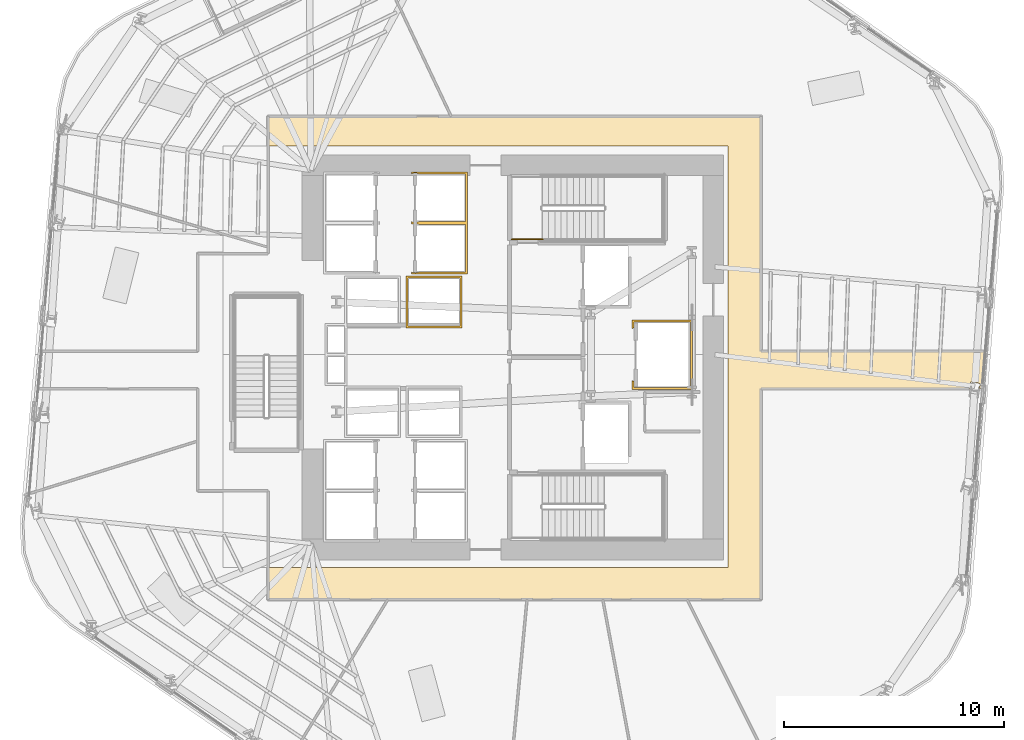
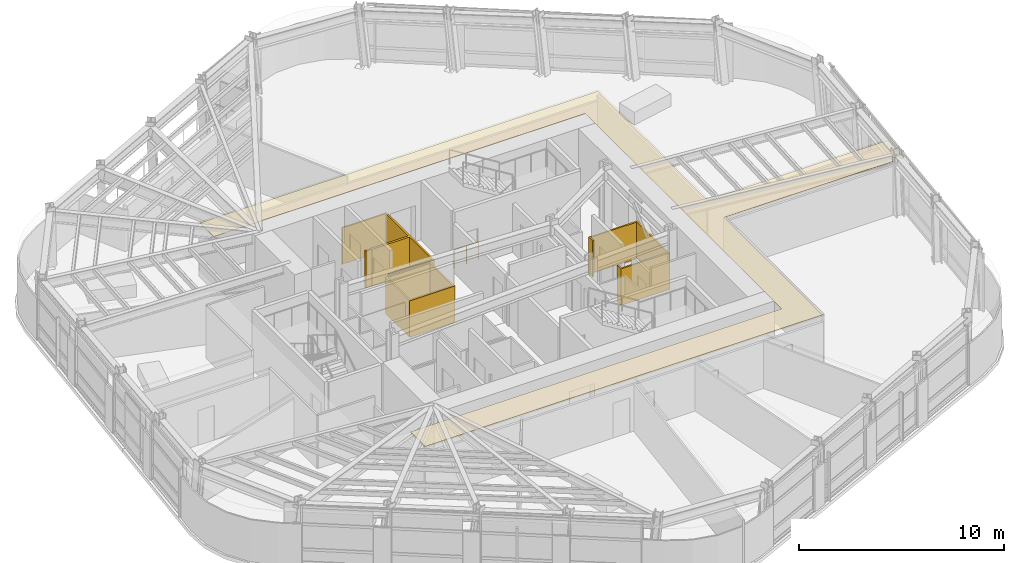
# One storey, part 14 of 19: 4 coverings, 1 railing.
"""IFC4 building model written with IfcOpenShell, lengths in metres."""

import ifcopenshell
import ifcopenshell.guid

model = None  # the IFC model being written
_history = None  # IfcOwnerHistory: only IFC2X3 demands one
_inside = {}  # id of a spatial element -> (the spatial element, [elements in it])
_under = {}  # id of a project, library or spatial element -> (it, [spatial elements below it])
_declared = {}  # id of a project -> (the project, [libraries it declares])
_typed = {}  # id of a type object -> (the type object, [elements of that type])
_made_of = {}  # id of a material, layer set ... -> (it, [elements and type objects made of it])


def new_model(schema):
    """Start an empty IFC model of exactly this schema.

    Asked for "IFC4X3", IfcOpenShell would pick the latest addendum, in which some entities
    have other attributes; the version numbers below select the first issue.
    IFC2X3 requires an IfcOwnerHistory on every rooted entity: one is made here for all.
    """
    global model, _history
    if schema == "IFC4X3":
        model = ifcopenshell.file(schema_version=(4, 3, 0, 0))
    else:
        model = ifcopenshell.file(schema=schema)
    _inside.clear()
    _under.clear()
    _declared.clear()
    _typed.clear()
    _made_of.clear()
    _history = None
    if model.schema == "IFC2X3":
        org = make("IfcOrganization", Name="unknown")
        user = make(
            "IfcPersonAndOrganization",
            ThePerson=make("IfcPerson", FamilyName="unknown"),
            TheOrganization=org,
        )
        app = make(
            "IfcApplication",
            ApplicationDeveloper=org,
            Version="unknown",
            ApplicationFullName="unknown",
            ApplicationIdentifier="unknown",
        )
        _history = make(
            "IfcOwnerHistory",
            OwningUser=user,
            OwningApplication=app,
            ChangeAction="ADDED",
            CreationDate=0,
        )
    return model


def make(cls, **values):
    """One entity of the class cls with the attributes given. An attribute that is None is left unset."""
    return model.create_entity(
        cls, **{name: value for name, value in values.items() if value is not None}
    )


def rooted(cls, **values):
    """An entity with a GlobalId (a new one), such as an element, a storey or a relation."""
    return make(cls, GlobalId=ifcopenshell.guid.new(), OwnerHistory=_history, **values)


def si_unit(unit_type, name, prefix=None):
    """IfcSIUnit, for example si_unit("LENGTHUNIT", "METRE", prefix="MILLI")."""
    return make("IfcSIUnit", UnitType=unit_type, Prefix=prefix, Name=name)


def assignment(units):
    """IfcUnitAssignment: the units of a project."""
    return None if units is None else make("IfcUnitAssignment", Units=units)


def point(xyz):
    """IfcCartesianPoint."""
    return None if xyz is None else make("IfcCartesianPoint", Coordinates=xyz)


def direction(xyz):
    """IfcDirection."""
    return None if xyz is None else make("IfcDirection", DirectionRatios=xyz)


def frame(location, z_axis=None, x_axis=None):
    """IfcAxis2Placement3D, a coordinate frame: its origin and axes. An axis left out is left unset."""
    return make(
        "IfcAxis2Placement3D",
        Location=point(location),
        Axis=direction(z_axis),
        RefDirection=direction(x_axis),
    )


def frame_2d(location, x_axis=None):
    """IfcAxis2Placement2D, a coordinate frame in the plane: its origin and x axis."""
    return make(
        "IfcAxis2Placement2D", Location=point(location), RefDirection=direction(x_axis)
    )


def origin():
    """The frame at (0, 0, 0) with its axes left unset."""
    return frame((0.0, 0.0, 0.0))


def origin_2d():
    """The frame at (0, 0) in the plane with its x axis left unset."""
    return frame_2d((0.0, 0.0))


def place(relative_to, where):
    """IfcLocalPlacement: puts the frame where relative to a parent placement (None: the world)."""
    return make(
        "IfcLocalPlacement", PlacementRelTo=relative_to, RelativePlacement=where
    )


def context(
    kind, dimensions, precision=None, world=None, true_north=None, identifier=None
):
    """IfcGeometricRepresentationContext, for example the 3D "Model" context."""
    return make(
        "IfcGeometricRepresentationContext",
        ContextIdentifier=identifier,
        ContextType=kind,
        CoordinateSpaceDimension=dimensions,
        Precision=precision,
        WorldCoordinateSystem=world,
        TrueNorth=true_north,
    )


def subcontext(parent, identifier, kind, view, scale=None):
    """IfcGeometricRepresentationSubContext, for example "Body" below "Model"."""
    return make(
        "IfcGeometricRepresentationSubContext",
        ContextIdentifier=identifier,
        ContextType=kind,
        ParentContext=parent,
        TargetScale=scale,
        TargetView=view,
    )


def project(units=None, contexts=None):
    """IfcProject with its units and contexts."""
    return rooted(
        "IfcProject",
        Name="project",
        RepresentationContexts=contexts,
        UnitsInContext=assignment(units),
    )


def spatial(cls, under=None, at=None, **own):
    """A site, building, storey or space (cls), placed at a placement, below another one or the project."""
    s = rooted(cls, ObjectPlacement=at, **own)
    if under is not None:
        _under.setdefault(under.id(), (under, []))[1].append(s)
    return s


def polyline(points):
    """IfcPolyline through the points."""
    return make("IfcPolyline", Points=[point(p) for p in points])


def profile(cls, at=None, kind="AREA", **sizes):
    """A parametric profile (cls). Its sizes go by their IFC names, for example OverallWidth=200.0."""
    return make(cls, ProfileType=kind, Position=at, **sizes)


def circle(**sizes):
    """IfcCircleProfileDef."""
    return profile("IfcCircleProfileDef", **sizes)


def outline(outer, holes=None, kind="AREA"):
    """IfcArbitraryClosedProfileDef: a profile drawn as a closed curve; with holes, ...WithVoids."""
    if holes is None:
        return make("IfcArbitraryClosedProfileDef", ProfileType=kind, OuterCurve=outer)
    return make(
        "IfcArbitraryProfileDefWithVoids",
        ProfileType=kind,
        OuterCurve=outer,
        InnerCurves=holes,
    )


def extrude(swept, where, along, depth):
    """IfcExtrudedAreaSolid: the profile swept, set in the frame where, extruded along a direction by depth."""
    return make(
        "IfcExtrudedAreaSolid",
        SweptArea=swept,
        Position=where,
        ExtrudedDirection=direction(along),
        Depth=depth,
    )


def shape(context_of_items, identifier, shape_type, items):
    """IfcShapeRepresentation: the items that make up one representation, for example the "Body"."""
    return make(
        "IfcShapeRepresentation",
        ContextOfItems=context_of_items,
        RepresentationIdentifier=identifier,
        RepresentationType=shape_type,
        Items=items,
    )


def material(Name=None, Category=None):
    """IfcMaterial."""
    return make("IfcMaterial", Name=Name, Category=Category)


def layer(
    of_material, thickness, ventilated=None, Name=None, Category=None, Priority=None
):
    """IfcMaterialLayer: one layer of a wall or slab, of a material (None: an air gap)."""
    return make(
        "IfcMaterialLayer",
        Material=of_material,
        LayerThickness=thickness,
        IsVentilated=ventilated,
        Name=Name,
        Category=Category,
        Priority=Priority,
    )


def layer_set(layers, Name=None):
    """IfcMaterialLayerSet."""
    return make("IfcMaterialLayerSet", MaterialLayers=layers, LayerSetName=Name)


def made_of(thing, what):
    """Note that an element or type object is made of a material, layer set ...; save() writes the relation."""
    if what is not None:
        _made_of.setdefault(what.id(), (what, []))[1].append(thing)
    return thing


def type_object(cls, material=None, **own):
    """A type object (cls), such as IfcWallType, which elements share."""
    return made_of(rooted(cls, **own), material)


def element(
    cls,
    number,
    at=None,
    inside=None,
    cuts=None,
    type_object=None,
    material=None,
    context=None,
    identifier="Body",
    shape_type=None,
    held_by="IfcProductDefinitionShape",
    body=None,
    shapes=None,
    **own,
):
    """One element of the class cls, such as IfcWall. Its Tag is "e" and its number.

    at: its placement. inside: the storey or other place that contains it. cuts: it is an
    opening in that element (IfcRelVoidsElement). A single representation is given by context,
    identifier, shape_type and body (its items); several are given by shapes. held_by: the class
    of the entity that holds the representations. save() writes the other relations.
    """
    e = rooted(cls, Tag="e%d" % number, ObjectPlacement=at, **own)
    if body is not None:
        shapes = [shape(context, identifier, shape_type, body)]
    if shapes is not None:
        e.Representation = make(held_by, Representations=shapes)
    if inside is not None:
        _inside.setdefault(inside.id(), (inside, []))[1].append(e)
    if cuts is not None:
        rooted(
            "IfcRelVoidsElement", RelatingBuildingElement=cuts, RelatedOpeningElement=e
        )
    if type_object is not None:
        _typed.setdefault(type_object.id(), (type_object, []))[1].append(e)
    return made_of(e, material)


def aggregate(whole, parts):
    """IfcRelAggregates: a whole, such as a stair, and the parts it consists of."""
    return rooted("IfcRelAggregates", RelatingObject=whole, RelatedObjects=parts)


def save(model, path):
    """Write the relations noted so far, then the file.

    IfcRelAggregates (storeys below a building ...), IfcRelContainedInSpatialStructure (elements
    in a storey), IfcRelDefinesByType, IfcRelAssociatesMaterial and IfcRelDeclares: one each for
    every whole, place, type object, material and project.
    """
    for whole, parts in _under.values():
        aggregate(whole, parts)
    for where, things in _inside.values():
        rooted(
            "IfcRelContainedInSpatialStructure",
            RelatedElements=things,
            RelatingStructure=where,
        )
    for kind, things in _typed.values():
        rooted("IfcRelDefinesByType", RelatedObjects=things, RelatingType=kind)
    for what, things in _made_of.values():
        rooted("IfcRelAssociatesMaterial", RelatedObjects=things, RelatingMaterial=what)
    for by, libraries in _declared.values():
        rooted("IfcRelDeclares", RelatingContext=by, RelatedDefinitions=libraries)
    model.write(path)


model = new_model("IFC4")

# Units and contexts
model_context = context("Model", 3, precision=1e-05, world=origin(), true_north=direction((0.0, 1.0)))
body_context = subcontext(model_context, "Body", "Model", "MODEL_VIEW")
ifc_project = project(units=[si_unit("LENGTHUNIT", "METRE"), si_unit("AREAUNIT", "SQUARE_METRE"), si_unit("VOLUMEUNIT", "CUBIC_METRE"), si_unit("PLANEANGLEUNIT", "RADIAN"), si_unit("MASSUNIT", "GRAM", prefix="KILO")], contexts=[model_context])

# Site, building, storey
site_placement = place(None, origin())
site = spatial("IfcSite", under=ifc_project, at=site_placement, CompositionType="ELEMENT")
building_placement = place(site_placement, origin())
building = spatial("IfcBuilding", under=site, at=building_placement, Name="Valkerne Bourse Tower", CompositionType="ELEMENT")
storey_placement = place(building_placement, frame((0.0, 0.0, 131.39990234375)))
storey = spatial("IfcBuildingStorey", under=building, at=storey_placement, Name="L33", CompositionType="ELEMENT", Elevation=131.39990234375)

# Coverings
ifc_material_1 = material(Name="Bronze Anodised Aluminium AA 6063-T6", Category="aluminium")
ifc_layer_1 = layer(ifc_material_1, 0.030029296875)
ifc_layer_set_1 = layer_set([ifc_layer_1], Name="Bronze Anodised Aluminium AA 6063-T6")
covering_type_1 = type_object("IfcCoveringType", Name="COV-CEIL-METAL", PredefinedType="CEILING", material=ifc_layer_set_1)
covering_1_placement = place(storey_placement, frame((0.0, 0.0, 3.170166015625)))
element("IfcCovering", 1, at=covering_1_placement, inside=storey, type_object=covering_type_1, Name="L33 Suspended Ceiling 01", PredefinedType="CEILING", context=body_context, shape_type="SweptSolid", body=[
    extrude(outline(polyline([(68.286376953125, 27.14599609375), (68.1513671875, 25.4541015625), (68.04443359375, 25.4541015625), (68.081298828125, 25.681640625), (68.081298828125, 25.684814453125), (67.65478515625, 25.75341796875), (67.6064453125, 25.4541015625), (58.095947265625, 25.4541015625), (58.095947265625, 15.85400390625), (35.654052734375, 15.85400390625), (35.654052734375, 17.300048828125), (56.60009765625, 17.300048828125), (56.60009765625, 36.5), (35.654052734375, 36.5), (35.654052734375, 37.845947265625), (58.095947265625, 37.845947265625), (58.095947265625, 27.14599609375), (68.286376953125, 27.14599609375)])), origin(), (0.0, 0.0, 1.0), 0.02490234375),
])
ifc_material_2 = material(Name="Gypsum Shaftwall Liner Board", Category="gypsum")
ifc_layer_2 = layer(ifc_material_2, 0.080078125)
ifc_layer_set_2 = layer_set([ifc_layer_2], Name="Gypsum Shaftwall Liner Board")
covering_type_2 = type_object("IfcCoveringType", Name="COV-SHF-CLAD", PredefinedType="CLADDING", material=ifc_layer_set_2)
covering_2_placement = place(storey_placement, origin())
element("IfcCovering", 2, at=covering_2_placement, inside=storey, type_object=covering_type_2, Name="L33 Hoistway & Riser Shaftwall Liner 08", PredefinedType="CLADDING", context=body_context, shape_type="SweptSolid", body=[
    extrude(outline(polyline([(54.97998046875, 25.419921875), (52.219970703125, 25.419921875), (52.219970703125, 25.81787109375), (52.227783203125, 25.814208984375), (52.269287109375, 25.79931640625), (52.31005859375, 25.789306640625), (52.31005859375, 25.510009765625), (54.889892578125, 25.510009765625), (54.889892578125, 28.489990234375), (52.31005859375, 28.489990234375), (52.31005859375, 28.210693359375), (52.269287109375, 28.20068359375), (52.227783203125, 28.185791015625), (52.219970703125, 28.18212890625), (52.219970703125, 28.580078125), (54.97998046875, 28.580078125), (54.97998046875, 25.419921875)])), origin(), (0.0, 0.0, 1.0), 2.18017578125),
])
covering_3_placement = place(storey_placement, origin())
element("IfcCovering", 3, at=covering_3_placement, inside=storey, type_object=covering_type_2, Name="L33 Hoistway & Riser Shaftwall Liner 09", PredefinedType="CLADDING", context=body_context, shape_type="SweptSolid", body=[
    extrude(outline(polyline([(44.47998046875, 28.219970703125), (41.919921875, 28.219970703125), (41.919921875, 30.580078125), (44.47998046875, 30.580078125), (44.47998046875, 28.219970703125)]), holes=[polyline([(42.010009765625, 30.489990234375), (42.010009765625, 28.31005859375), (44.389892578125, 28.31005859375), (44.389892578125, 30.489990234375), (42.010009765625, 30.489990234375)])]), origin(), (0.0, 0.0, 1.0), 2.18017578125),
])
covering_4_placement = place(storey_placement, origin())
element("IfcCovering", 4, at=covering_4_placement, inside=storey, type_object=covering_type_2, Name="L33 Hoistway & Riser Shaftwall Liner 11", PredefinedType="CLADDING", context=body_context, shape_type="SweptSolid", body=[
    extrude(outline(polyline([(44.72998046875, 35.330078125), (44.72998046875, 33.030029296875), (44.72998046875, 32.969970703125), (44.72998046875, 30.669921875), (42.169921875, 30.669921875), (42.169921875, 30.767822265625), (42.177734375, 30.764404296875), (42.219482421875, 30.74951171875), (42.26220703125, 30.738525390625), (42.305908203125, 30.732177734375), (42.35009765625, 30.72998046875), (42.39404296875, 30.732177734375), (42.437744140625, 30.738525390625), (42.480712890625, 30.74951171875), (42.51025390625, 30.760009765625), (44.639892578125, 30.760009765625), (44.639892578125, 32.93994140625), (42.51025390625, 32.93994140625), (42.480712890625, 32.95068359375), (42.437744140625, 32.96142578125), (42.39404296875, 32.9677734375), (42.35009765625, 32.969970703125), (42.305908203125, 32.9677734375), (42.26220703125, 32.96142578125), (42.219482421875, 32.95068359375), (42.177734375, 32.935791015625), (42.169921875, 32.93212890625), (42.169921875, 32.969970703125), (42.169921875, 33.030029296875), (42.169921875, 33.06787109375), (42.177734375, 33.064208984375), (42.219482421875, 33.04931640625), (42.26220703125, 33.03857421875), (42.305908203125, 33.0322265625), (42.35009765625, 33.030029296875), (42.39404296875, 33.0322265625), (42.437744140625, 33.03857421875), (42.480712890625, 33.04931640625), (42.51025390625, 33.06005859375), (44.639892578125, 33.06005859375), (44.639892578125, 35.239990234375), (42.51025390625, 35.239990234375), (42.480712890625, 35.25048828125), (42.437744140625, 35.261474609375), (42.39404296875, 35.267822265625), (42.35009765625, 35.27001953125), (42.305908203125, 35.267822265625), (42.26220703125, 35.261474609375), (42.219482421875, 35.25048828125), (42.177734375, 35.235595703125), (42.169921875, 35.232177734375), (42.169921875, 35.330078125), (44.72998046875, 35.330078125)])), origin(), (0.0, 0.0, 1.0), 2.18017578125),
])

# Railing
ifc_material_3 = material(Name="Galvanised Painted Steel", Category="steel")
railing_type = type_object("IfcRailingType", Name="RLG-ST-GUARD-1120", PredefinedType="GUARDRAIL", material=ifc_material_3)
railing_placement = place(storey_placement, frame((46.75, 32.25, 0.0)))
element("IfcRailing", 5, at=railing_placement, inside=storey, type_object=railing_type, Name="L33 ST-2 stair guard 8", PredefinedType="GUARDRAIL", context=body_context, shape_type="SweptSolid", body=[
    extrude(circle(Radius=0.02392578125, at=origin_2d()), frame((0.0, 0.0, 1.09619140625), z_axis=(1.0, 0.0, 0.0), x_axis=(0.0, 1.0, 0.0)), (0.0, 0.0, 1.0), 1.39990234375),
    extrude(circle(Radius=0.02099609375, at=origin_2d()), origin(), (0.0, 0.0, 1.0), 1.072021484375),
    extrude(circle(Radius=0.02099609375, at=origin_2d()), frame((0.699951171875, 0.0, 0.0)), (0.0, 0.0, 1.0), 1.072021484375),
    extrude(circle(Radius=0.02099609375, at=origin_2d()), frame((1.39990234375, 0.0, 0.0)), (0.0, 0.0, 1.0), 1.072021484375),
])

save(model, "model.ifc")
